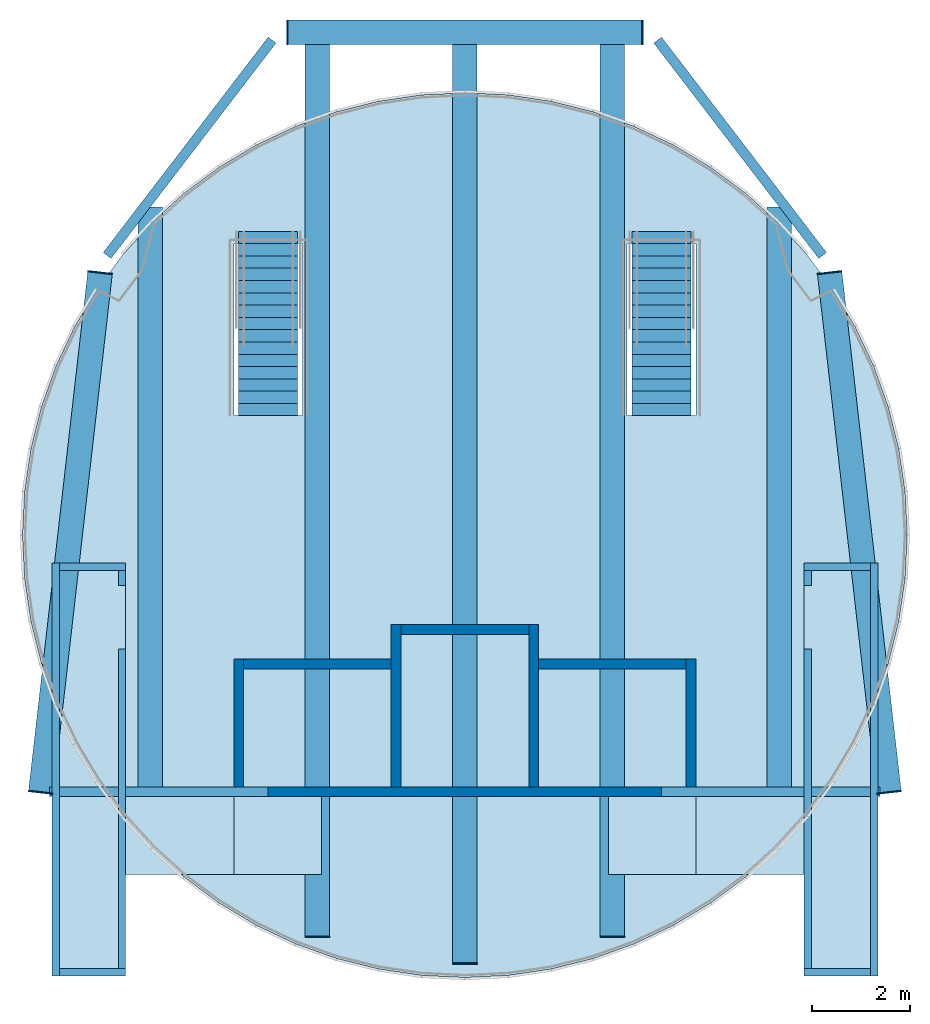
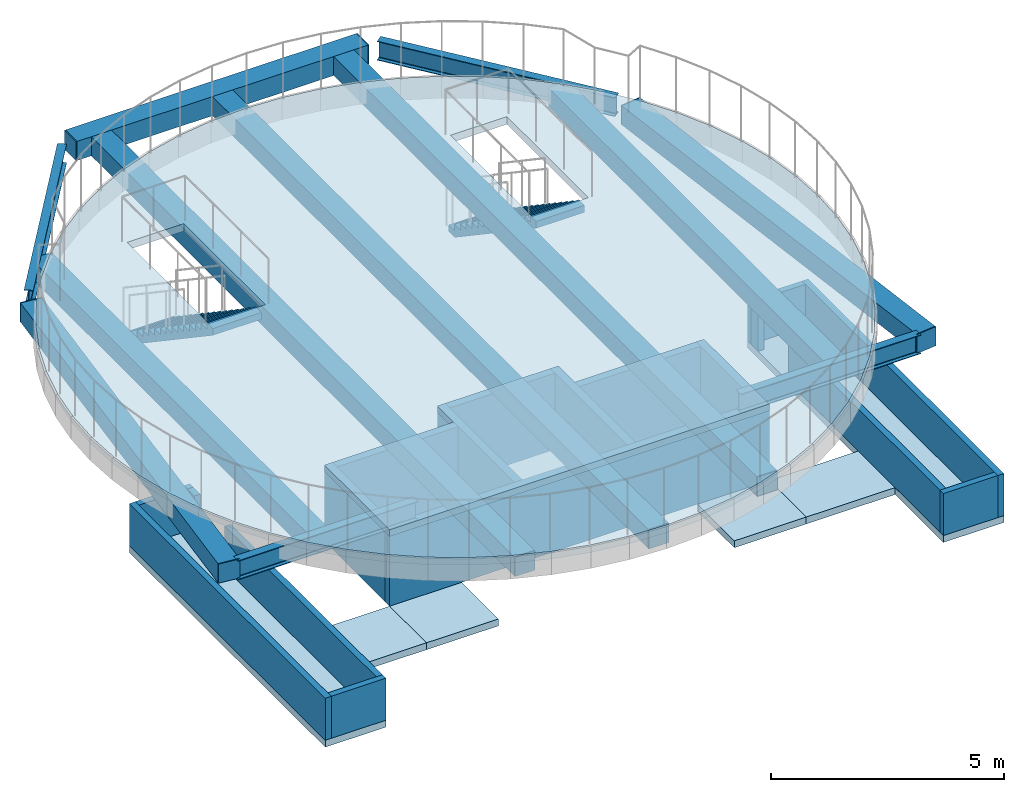
# One storey, part 1 of 4: 18 walls, 12 beams, 9 discrete accessories, 8 slabs, 2 stair flights, 2 elements without a shape of their own.
"""IFC4 building model written with IfcOpenShell, lengths in metres."""

from ifc_helpers import new_model, si_unit, direction, frame, frame_2d, origin, origin_2d, place, context, subcontext, project, spatial, polyline, rectangle, hollow_rectangle, i_section, outline, extrude, material, layer, layer_set, material_profile, profile_set, type_object, element, aggregate, save


model = new_model("IFC4")

# Units and contexts
model_context = context("Model", 3, precision=1e-05, world=origin(), true_north=direction((0.0, 1.0)))
body_context = subcontext(model_context, "Body", "Model", "MODEL_VIEW")
ifc_project = project(units=[si_unit("LENGTHUNIT", "METRE"), si_unit("AREAUNIT", "SQUARE_METRE"), si_unit("VOLUMEUNIT", "CUBIC_METRE"), si_unit("PLANEANGLEUNIT", "RADIAN"), si_unit("MASSUNIT", "GRAM", prefix="KILO")], contexts=[model_context])

# Site, building, storey
site_placement = place(None, origin())
site = spatial("IfcSite", under=ifc_project, at=site_placement, CompositionType="ELEMENT")
building_placement = place(site_placement, origin())
building = spatial("IfcBuilding", under=site, at=building_placement, Name="Fogline Exchange Tower", CompositionType="ELEMENT")
storey_placement = place(building_placement, frame((0.0, 0.0, 372.10009765625)))
storey = spatial("IfcBuildingStorey", under=building, at=storey_placement, Name="RF-3", CompositionType="ELEMENT", Elevation=372.10009765625)

# Beams
ifc_material_1 = material(Name="Steel Q355 grade B", Category="steel")
ifc_material_profile_1 = material_profile(ifc_material_1, i_section(OverallWidth=0.199951171875, OverallDepth=0.5, WebThickness=0.010009765625, FlangeThickness=0.01611328125, FilletRadius=0.02001953125, at=origin_2d()), Name="HN500X200X10X16")
ifc_profile_set_1 = profile_set([ifc_material_profile_1], Name="Steel Q355 grade B")
beam_type_1 = type_object("IfcBeamType", Name="HB1", PredefinedType="BEAM", material=ifc_profile_set_1)
for number, where, z_axis, x_axis, name in (
    (1, (7.2783203125, 16.65869140625, 2.25), (-0.608057307318, 0.793893135767, 0.0), (-0.793893135767, -0.608057307318, 0.0), "Helipad pad beam"),
    (2, (-3.921630859375, 21.041259765625, 2.25), (-0.608057307318, -0.793893135767, 0.0), (0.793893135767, -0.608057307318, 0.0), "Helipad pad beam"),
):
    element("IfcBeam", number, at=place(storey_placement, frame(where, z_axis=z_axis, x_axis=x_axis)), inside=storey, type_object=beam_type_1, Name=name, PredefinedType="BEAM", context=body_context, shape_type="SweptSolid", body=[
        extrude(i_section(OverallWidth=0.199951171875, OverallDepth=0.5, WebThickness=0.010009765625, FlangeThickness=0.01611328125, FilletRadius=0.02001953125, at=origin_2d()), origin(), (0.0, 0.0, 1.0), 5.520263671875),
    ])
for number, where, z_axis, x_axis, name in (
    (3, (-8.449951171875, 5.75, 2.25), (1.0, 0.0, 0.0), (0.0, 1.0, 0.0), "Helipad pad beam"),
    (4, (8.449951171875, 5.75, 2.25), (-1.0, 0.0, 0.0), (0.0, -1.0, 0.0), "Helipad pad beam"),
):
    element("IfcBeam", number, at=place(storey_placement, frame(where, z_axis=z_axis, x_axis=x_axis)), inside=storey, type_object=beam_type_1, Name=name, PredefinedType="BEAM", context=body_context, shape_type="SweptSolid", body=[
        extrude(i_section(OverallWidth=0.199951171875, OverallDepth=0.5, WebThickness=0.010009765625, FlangeThickness=0.01611328125, FilletRadius=0.02001953125, at=origin_2d()), origin(), (0.0, 0.0, 1.0), 4.449951171875),
    ])
ifc_material_profile_2 = material_profile(ifc_material_1, hollow_rectangle(XDim=0.5, YDim=0.5, WallThickness=0.02490234375, at=origin_2d()), Name="BOX500X500X25")
ifc_profile_set_2 = profile_set([ifc_material_profile_2], Name="Steel Q355 grade B")
beam_type_2 = type_object("IfcBeamType", Name="HB2", PredefinedType="BEAM", material=ifc_profile_set_2)
beam_1_placement = place(storey_placement, frame((8.627197265625, 5.748779296875, 2.25), z_axis=(-0.113415635376, 0.993547630289, 0.0), x_axis=(-0.993547630289, -0.113415635376, 0.0)))
element("IfcBeam", 5, at=beam_1_placement, inside=storey, type_object=beam_type_2, Name="Helipad pad beam", PredefinedType="BEAM", context=body_context, shape_type="SweptSolid", body=[
    extrude(hollow_rectangle(XDim=0.5, YDim=0.5, WallThickness=0.02490234375, at=origin_2d()), origin(), (0.0, 0.0, 1.0), 10.62109375),
])
beam_2_placement = place(storey_placement, frame((3.60009765625, 21.199951171875, 2.25), z_axis=(-1.0, 0.0, 0.0), x_axis=(0.0, -1.0, 0.0)))
element("IfcBeam", 6, at=beam_2_placement, inside=storey, type_object=beam_type_2, Name="Helipad pad beam", PredefinedType="BEAM", context=body_context, shape_type="SweptSolid", body=[
    extrude(hollow_rectangle(XDim=0.5, YDim=0.5, WallThickness=0.02490234375, at=origin_2d()), origin(), (0.0, 0.0, 1.0), 7.2001953125),
])
beam_3_placement = place(storey_placement, frame((-7.422607421875, 16.30126953125, 2.25), z_axis=(-0.113415635376, -0.993547630289, 0.0), x_axis=(0.993547630289, -0.113415635376, 0.0)))
element("IfcBeam", 7, at=beam_3_placement, inside=storey, type_object=beam_type_2, Name="Helipad pad beam", PredefinedType="BEAM", context=body_context, shape_type="SweptSolid", body=[
    extrude(hollow_rectangle(XDim=0.5, YDim=0.5, WallThickness=0.02490234375, at=origin_2d()), origin(), (0.0, 0.0, 1.0), 10.62109375),
])
beam_4_placement = place(storey_placement, frame((-6.39990234375, 5.85009765625, 2.25), z_axis=(0.0, 1.0, 0.0), x_axis=(-1.0, 0.0, 0.0)))
element("IfcBeam", 8, at=beam_4_placement, inside=storey, type_object=beam_type_2, Name="Helipad pad cross beam", PredefinedType="BEAM", context=body_context, shape_type="SweptSolid", body=[
    extrude(hollow_rectangle(XDim=0.5, YDim=0.5, WallThickness=0.02490234375, at=origin_2d()), origin(), (0.0, 0.0, 1.0), 11.791015625),
])
beam_5_placement = place(storey_placement, frame((-3.0, 2.814697265625, 2.25), z_axis=(0.0, 1.0, 0.0), x_axis=(-1.0, 0.0, 0.0)))
element("IfcBeam", 9, at=beam_5_placement, inside=storey, type_object=beam_type_2, Name="Helipad pad cross beam", PredefinedType="BEAM", context=body_context, shape_type="SweptSolid", body=[
    extrude(hollow_rectangle(XDim=0.5, YDim=0.5, WallThickness=0.02490234375, at=origin_2d()), origin(), (0.0, 0.0, 1.0), 18.13525390625),
])
beam_6_placement = place(storey_placement, frame((0.0, 2.2705078125, 2.25), z_axis=(0.0, 1.0, 0.0), x_axis=(-1.0, 0.0, 0.0)))
element("IfcBeam", 10, at=beam_6_placement, inside=storey, type_object=beam_type_2, Name="Helipad pad cross beam", PredefinedType="BEAM", context=body_context, shape_type="SweptSolid", body=[
    extrude(hollow_rectangle(XDim=0.5, YDim=0.5, WallThickness=0.02490234375, at=origin_2d()), origin(), (0.0, 0.0, 1.0), 18.679443359375),
])
beam_7_placement = place(storey_placement, frame((3.0, 2.814697265625, 2.25), z_axis=(0.0, 1.0, 0.0), x_axis=(-1.0, 0.0, 0.0)))
element("IfcBeam", 11, at=beam_7_placement, inside=storey, type_object=beam_type_2, Name="Helipad pad cross beam", PredefinedType="BEAM", context=body_context, shape_type="SweptSolid", body=[
    extrude(hollow_rectangle(XDim=0.5, YDim=0.5, WallThickness=0.02490234375, at=origin_2d()), origin(), (0.0, 0.0, 1.0), 18.13525390625),
])
beam_8_placement = place(storey_placement, frame((6.39990234375, 5.85009765625, 2.25), z_axis=(0.0, 1.0, 0.0), x_axis=(-1.0, 0.0, 0.0)))
element("IfcBeam", 12, at=beam_8_placement, inside=storey, type_object=beam_type_2, Name="Helipad pad cross beam", PredefinedType="BEAM", context=body_context, shape_type="SweptSolid", body=[
    extrude(hollow_rectangle(XDim=0.5, YDim=0.5, WallThickness=0.02490234375, at=origin_2d()), origin(), (0.0, 0.0, 1.0), 11.791015625),
])

# Slabs
ifc_material_2 = material(Name="Concrete C40", Category="concrete")
ifc_layer_1 = layer(ifc_material_2, 0.179931640625)
ifc_layer_set_1 = layer_set([ifc_layer_1], Name="CR180")
slab_type_1 = type_object("IfcSlabType", Name="CR180", PredefinedType="ROOF", material=ifc_layer_set_1)
slab_1_placement = place(storey_placement, frame((0.0, 0.0, 1.81982421875)))
element("IfcSlab", 13, at=slab_1_placement, inside=storey, type_object=slab_type_1, Name="Lift housing roof", PredefinedType="ROOF", context=body_context, shape_type="SweptSolid", body=[
    extrude(outline(polyline([(-4.699951171875, 5.64990234375), (4.699951171875, 5.64990234375), (4.699951171875, 8.449951171875), (1.5, 8.449951171875), (1.5, 9.14990234375), (-1.5, 9.14990234375), (-1.5, 8.449951171875), (-4.699951171875, 8.449951171875), (-4.699951171875, 5.64990234375)])), origin(), (0.0, 0.0, 1.0), 0.18017578125),
])
ifc_layer_2 = layer(ifc_material_1, 0.199951171875)
ifc_layer_set_2 = layer_set([ifc_layer_2], Name="DK4")
slab_type_2 = type_object("IfcSlabType", Name="DK4", PredefinedType="FLOOR", material=ifc_layer_set_2)
slab_2_placement = place(storey_placement, frame((0.0, 0.0, 2.5)))
element("IfcSlab", 14, at=slab_2_placement, inside=storey, type_object=slab_type_2, Name="Helipad open deck", PredefinedType="FLOOR", context=body_context, shape_type="SweptSolid", body=[
    extrude(outline(polyline([(8.956787109375, 10.087890625), (9.0, 10.969970703125), (8.956787109375, 11.852294921875), (8.8271484375, 12.725830078125), (8.612548828125, 13.58251953125), (8.31494140625, 14.414306640625), (7.937255859375, 15.212646484375), (7.483154296875, 15.97021484375), (6.95703125, 16.679443359375), (6.364013671875, 17.333984375), (5.70947265625, 17.927001953125), (5.0, 18.453125), (4.24267578125, 18.9072265625), (3.444091796875, 19.284912109375), (2.612548828125, 19.58251953125), (1.755859375, 19.797119140625), (0.882080078125, 19.9267578125), (0.0, 19.969970703125), (-0.882080078125, 19.9267578125), (-1.755859375, 19.797119140625), (-2.612548828125, 19.58251953125), (-3.444091796875, 19.284912109375), (-4.24267578125, 18.9072265625), (-5.0, 18.453125), (-5.70947265625, 17.927001953125), (-6.364013671875, 17.333984375), (-6.95703125, 16.679443359375), (-7.483154296875, 15.97021484375), (-7.937255859375, 15.212646484375), (-8.31494140625, 14.414306640625), (-8.612548828125, 13.58251953125), (-8.8271484375, 12.725830078125), (-8.956787109375, 11.852294921875), (-9.0, 10.969970703125), (-8.956787109375, 10.087890625), (-8.8271484375, 9.214111328125), (-8.612548828125, 8.357421875), (-8.31494140625, 7.52587890625), (-7.937255859375, 6.727294921875), (-7.483154296875, 5.969970703125), (-6.95703125, 5.260498046875), (-6.364013671875, 4.60595703125), (-5.70947265625, 4.012939453125), (-5.0, 3.48681640625), (-4.24267578125, 3.03271484375), (-3.444091796875, 2.655029296875), (-2.612548828125, 2.357421875), (-1.755859375, 2.142822265625), (-0.882080078125, 2.01318359375), (0.0, 1.969970703125), (0.882080078125, 2.01318359375), (1.755859375, 2.142822265625), (2.612548828125, 2.357421875), (3.444091796875, 2.655029296875), (4.24267578125, 3.03271484375), (5.0, 3.48681640625), (5.70947265625, 4.012939453125), (6.364013671875, 4.60595703125), (6.95703125, 5.260498046875), (7.483154296875, 5.969970703125), (7.937255859375, 6.727294921875), (8.31494140625, 7.52587890625), (8.612548828125, 8.357421875), (8.8271484375, 9.214111328125), (8.956787109375, 10.087890625)]), holes=[polyline([(-3.300048828125, 13.402099609375), (-4.699951171875, 13.402099609375), (-4.699951171875, 16.89990234375), (-3.300048828125, 16.89990234375), (-3.300048828125, 13.402099609375)]), polyline([(4.699951171875, 13.402099609375), (3.300048828125, 13.402099609375), (3.300048828125, 16.89990234375), (4.699951171875, 16.89990234375), (4.699951171875, 13.402099609375)])]), origin(), (0.0, 0.0, 1.0), 0.199951171875),
])
ifc_layer_3 = layer(ifc_material_1, 0.179931640625)
ifc_layer_set_3 = layer_set([ifc_layer_3], Name="HV2")
slab_type_3 = type_object("IfcSlabType", Name="HV2", PredefinedType="ROOF", material=ifc_layer_set_3)
slab_3_placement = place(storey_placement, frame((0.0, 0.0, -0.18017578125)))
element("IfcSlab", 15, at=slab_3_placement, inside=storey, type_object=slab_type_3, Name="Helipad stair lobby roof W", PredefinedType="ROOF", context=body_context, shape_type="SweptSolid", body=[
    extrude(outline(polyline([(-6.89990234375, 2.0), (-6.89990234375, 10.39990234375), (-8.39990234375, 10.39990234375), (-8.39990234375, 2.0), (-6.89990234375, 2.0)])), origin(), (0.0, 0.0, 1.0), 0.18017578125),
])
slab_4_placement = place(storey_placement, frame((0.0, 0.0, -0.18017578125)))
element("IfcSlab", 16, at=slab_4_placement, inside=storey, type_object=slab_type_3, Name="Helipad stair lobby roof E", PredefinedType="ROOF", context=body_context, shape_type="SweptSolid", body=[
    extrude(outline(polyline([(8.39990234375, 2.0), (8.39990234375, 10.39990234375), (6.89990234375, 10.39990234375), (6.89990234375, 2.0), (8.39990234375, 2.0)])), origin(), (0.0, 0.0, 1.0), 0.18017578125),
])
slab_5_placement = place(storey_placement, frame((0.0, 0.0, -0.18017578125)))
element("IfcSlab", 17, at=slab_5_placement, inside=storey, type_object=slab_type_3, Name="Helipad stair well roof W", PredefinedType="ROOF", context=body_context, shape_type="SweptSolid", body=[
    extrude(outline(polyline([(-4.699951171875, 4.070068359375), (-4.699951171875, 5.64990234375), (-6.89990234375, 5.64990234375), (-6.89990234375, 4.070068359375), (-4.699951171875, 4.070068359375)])), origin(), (0.0, 0.0, 1.0), 0.18017578125),
])
slab_6_placement = place(storey_placement, frame((0.0, 0.0, -0.18017578125)))
element("IfcSlab", 18, at=slab_6_placement, inside=storey, type_object=slab_type_3, Name="Helipad stair well roof W", PredefinedType="ROOF", context=body_context, shape_type="SweptSolid", body=[
    extrude(outline(polyline([(-2.919921875, 4.070068359375), (-2.919921875, 5.64990234375), (-4.699951171875, 5.64990234375), (-4.699951171875, 4.070068359375), (-2.919921875, 4.070068359375)])), origin(), (0.0, 0.0, 1.0), 0.18017578125),
])
slab_7_placement = place(storey_placement, frame((0.0, 0.0, -0.18017578125)))
element("IfcSlab", 19, at=slab_7_placement, inside=storey, type_object=slab_type_3, Name="Helipad stair well roof E", PredefinedType="ROOF", context=body_context, shape_type="SweptSolid", body=[
    extrude(outline(polyline([(6.89990234375, 4.070068359375), (6.89990234375, 5.64990234375), (4.699951171875, 5.64990234375), (4.699951171875, 4.070068359375), (6.89990234375, 4.070068359375)])), origin(), (0.0, 0.0, 1.0), 0.18017578125),
])
slab_8_placement = place(storey_placement, frame((0.0, 0.0, -0.18017578125)))
element("IfcSlab", 20, at=slab_8_placement, inside=storey, type_object=slab_type_3, Name="Helipad stair well roof E", PredefinedType="ROOF", context=body_context, shape_type="SweptSolid", body=[
    extrude(outline(polyline([(4.699951171875, 4.070068359375), (4.699951171875, 5.64990234375), (2.919921875, 5.64990234375), (2.919921875, 4.070068359375), (4.699951171875, 4.070068359375)])), origin(), (0.0, 0.0, 1.0), 0.18017578125),
])

# Walls
ifc_layer_4 = layer(ifc_material_2, 0.199951171875)
ifc_layer_set_4 = layer_set([ifc_layer_4], Name="CW20")
wall_type_1 = type_object("IfcWallType", Name="CW20", PredefinedType="SOLIDWALL", material=ifc_layer_set_4)
wall_1_placement = place(storey_placement, frame((-4.699951171875, 5.75, 0.0), z_axis=(0.0, 0.0, 1.0), x_axis=(1.0, 0.0, 0.0)))
element("IfcWall", 21, at=wall_1_placement, inside=storey, type_object=wall_type_1, Name="Lift shaft wall", PredefinedType="SOLIDWALL", context=body_context, shape_type="SweptSolid", body=[
    extrude(rectangle(XDim=9.39990234375, YDim=0.199951171875, at=frame_2d((4.699951171875, 0.0))), origin(), (0.0, 0.0, 1.0), 2.0),
])
for number, where, z_axis, x_axis, name in (
    (22, (-4.60009765625, 5.85009765625, 0.0), (0.0, 0.0, 1.0), (0.0, 1.0, 0.0), "Lift shaft wall"),
    (23, (4.60009765625, 5.85009765625, 0.0), (0.0, 0.0, 1.0), (0.0, 1.0, 0.0), "Lift shaft wall"),
):
    element("IfcWall", number, at=place(storey_placement, frame(where, z_axis=z_axis, x_axis=x_axis)), inside=storey, type_object=wall_type_1, Name=name, PredefinedType="SOLIDWALL", context=body_context, shape_type="SweptSolid", body=[
        extrude(rectangle(XDim=2.599853515625, YDim=0.199951171875, at=frame_2d((1.2998046875, 0.0))), origin(), (0.0, 0.0, 1.0), 2.0),
    ])
for number, where, z_axis, x_axis, name in (
    (24, (-1.39990234375, 5.85009765625, 0.0), (0.0, 0.0, 1.0), (0.0, 1.0, 0.0), "Lift shaft wall"),
    (25, (1.39990234375, 5.85009765625, 0.0), (0.0, 0.0, 1.0), (0.0, 1.0, 0.0), "Lift shaft wall"),
):
    element("IfcWall", number, at=place(storey_placement, frame(where, z_axis=z_axis, x_axis=x_axis)), inside=storey, type_object=wall_type_1, Name=name, PredefinedType="SOLIDWALL", context=body_context, shape_type="SweptSolid", body=[
        extrude(rectangle(XDim=3.2998046875, YDim=0.199951171875, at=frame_2d((1.64990234375, 0.0))), origin(), (0.0, 0.0, 1.0), 2.0),
    ])
for number, where, z_axis, x_axis, name in (
    (26, (-4.5, 8.35009765625, 0.0), (0.0, 0.0, 1.0), (1.0, 0.0, 0.0), "Lift shaft wall"),
    (27, (1.5, 8.35009765625, 0.0), (0.0, 0.0, 1.0), (1.0, 0.0, 0.0), "Lift shaft wall"),
):
    element("IfcWall", number, at=place(storey_placement, frame(where, z_axis=z_axis, x_axis=x_axis)), inside=storey, type_object=wall_type_1, Name=name, PredefinedType="SOLIDWALL", context=body_context, shape_type="SweptSolid", body=[
        extrude(rectangle(XDim=3.0, YDim=0.199951171875, at=frame_2d((1.5, 0.0))), origin(), (0.0, 0.0, 1.0), 2.0),
    ])
wall_2_placement = place(storey_placement, frame((-1.300048828125, 9.050048828125, 0.0), z_axis=(0.0, 0.0, 1.0), x_axis=(1.0, 0.0, 0.0)))
element("IfcWall", 28, at=wall_2_placement, inside=storey, type_object=wall_type_1, Name="Lift shaft wall", PredefinedType="SOLIDWALL", context=body_context, shape_type="SweptSolid", body=[
    extrude(rectangle(XDim=2.60009765625, YDim=0.199951171875, at=frame_2d((1.300048828125, 0.0))), origin(), (0.0, 0.0, 1.0), 2.0),
])
ifc_layer_5 = layer(ifc_material_1, 0.14990234375)
ifc_layer_set_5 = layer_set([ifc_layer_5], Name="HV3")
wall_type_2 = type_object("IfcWallType", Name="HV3", PredefinedType="PARAPET", material=ifc_layer_set_5)
wall_3_placement = place(storey_placement, frame((-8.324951171875, 2.0, 0.0), z_axis=(0.0, 0.0, 1.0), x_axis=(0.0, 1.0, 0.0)))
element("IfcWall", 29, at=wall_3_placement, inside=storey, type_object=wall_type_2, Name="Helipad stair lobby roof parapet W", PredefinedType="PARAPET", context=body_context, shape_type="SweptSolid", body=[
    extrude(rectangle(XDim=8.39990234375, YDim=0.14990234375, at=frame_2d((4.199951171875, 0.0))), origin(), (0.0, 0.0, 1.0), 1.099853515625),
])
for number, where, z_axis, x_axis, name in (
    (30, (-8.25, 2.074951171875, 0.0), (0.0, 0.0, 1.0), (1.0, 0.0, 0.0), "Helipad stair lobby roof parapet W"),
    (31, (-8.25, 10.324951171875, 0.0), (0.0, 0.0, 1.0), (1.0, 0.0, 0.0), "Helipad stair lobby roof parapet W"),
):
    element("IfcWall", number, at=place(storey_placement, frame(where, z_axis=z_axis, x_axis=x_axis)), inside=storey, type_object=wall_type_2, Name=name, PredefinedType="PARAPET", context=body_context, shape_type="SweptSolid", body=[
        extrude(rectangle(XDim=1.35009765625, YDim=0.14990234375, at=frame_2d((0.675048828125, 0.0))), origin(), (0.0, 0.0, 1.0), 1.099853515625),
    ])
wall_4_placement = place(storey_placement, frame((-6.97509765625, 2.14990234375, 0.0), z_axis=(0.0, 0.0, 1.0), x_axis=(0.0, 1.0, 0.0)))
element("IfcWall", 32, at=wall_4_placement, inside=storey, type_object=wall_type_2, Name="Helipad stair lobby roof parapet W", PredefinedType="PARAPET", context=body_context, shape_type="SweptSolid", body=[
    extrude(rectangle(XDim=6.5, YDim=0.14990234375, at=frame_2d((3.25, 0.0))), origin(), (0.0, 0.0, 1.0), 1.099853515625),
])
wall_5_placement = place(storey_placement, frame((-6.97509765625, 9.949951171875, 0.0), z_axis=(0.0, 0.0, 1.0), x_axis=(0.0, 1.0, 0.0)))
element("IfcWall", 33, at=wall_5_placement, inside=storey, type_object=wall_type_2, Name="Helipad stair lobby roof parapet W", PredefinedType="PARAPET", context=body_context, shape_type="SweptSolid", body=[
    extrude(rectangle(XDim=0.300048828125, YDim=0.14990234375, at=frame_2d((0.14990234375, 0.0))), origin(), (0.0, 0.0, 1.0), 1.099853515625),
])
wall_6_placement = place(storey_placement, frame((8.324951171875, 2.0, 0.0), z_axis=(0.0, 0.0, 1.0), x_axis=(0.0, 1.0, 0.0)))
element("IfcWall", 34, at=wall_6_placement, inside=storey, type_object=wall_type_2, Name="Helipad stair lobby roof parapet E", PredefinedType="PARAPET", context=body_context, shape_type="SweptSolid", body=[
    extrude(rectangle(XDim=8.39990234375, YDim=0.14990234375, at=frame_2d((4.199951171875, 0.0))), origin(), (0.0, 0.0, 1.0), 1.099853515625),
])
for number, where, z_axis, x_axis, name in (
    (35, (8.25, 2.074951171875, 0.0), (0.0, 0.0, 1.0), (-1.0, 0.0, 0.0), "Helipad stair lobby roof parapet E"),
    (36, (8.25, 10.324951171875, 0.0), (0.0, 0.0, 1.0), (-1.0, 0.0, 0.0), "Helipad stair lobby roof parapet E"),
):
    element("IfcWall", number, at=place(storey_placement, frame(where, z_axis=z_axis, x_axis=x_axis)), inside=storey, type_object=wall_type_2, Name=name, PredefinedType="PARAPET", context=body_context, shape_type="SweptSolid", body=[
        extrude(rectangle(XDim=1.35009765625, YDim=0.14990234375, at=frame_2d((0.675048828125, 0.0))), origin(), (0.0, 0.0, 1.0), 1.099853515625),
    ])
wall_7_placement = place(storey_placement, frame((6.97509765625, 2.14990234375, 0.0), z_axis=(0.0, 0.0, 1.0), x_axis=(0.0, 1.0, 0.0)))
element("IfcWall", 37, at=wall_7_placement, inside=storey, type_object=wall_type_2, Name="Helipad stair lobby roof parapet E", PredefinedType="PARAPET", context=body_context, shape_type="SweptSolid", body=[
    extrude(rectangle(XDim=6.5, YDim=0.14990234375, at=frame_2d((3.25, 0.0))), origin(), (0.0, 0.0, 1.0), 1.099853515625),
])
wall_8_placement = place(storey_placement, frame((6.97509765625, 9.949951171875, 0.0), z_axis=(0.0, 0.0, 1.0), x_axis=(0.0, 1.0, 0.0)))
element("IfcWall", 38, at=wall_8_placement, inside=storey, type_object=wall_type_2, Name="Helipad stair lobby roof parapet E", PredefinedType="PARAPET", context=body_context, shape_type="SweptSolid", body=[
    extrude(rectangle(XDim=0.300048828125, YDim=0.14990234375, at=frame_2d((0.14990234375, 0.0))), origin(), (0.0, 0.0, 1.0), 1.099853515625),
])

# Stair, stair flight
stair_type = type_object("IfcStairType", Name="HST4", PredefinedType="STRAIGHT_RUN_STAIR", material=ifc_material_1)
stair_1_placement = place(storey_placement, origin())
stair_1 = element("IfcStair", 39, at=stair_1_placement, inside=storey, type_object=stair_type, Name="Helipad pad stair W upper flight", PredefinedType="STRAIGHT_RUN_STAIR")
stair_flight_type = type_object("IfcStairFlightType", Name="HF1", PredefinedType="STRAIGHT", material=ifc_material_1)
stair_flight_1_placement = place(storey_placement, frame((-4.0, 17.14990234375, 0.0), z_axis=(0.0, 0.0, 1.0), x_axis=(0.0, -1.0, 0.0)))
stair_flight_1 = element("IfcStairFlight", 40, at=stair_flight_1_placement, type_object=stair_flight_type, Name="HS3U flight 1", NumberOfRisers=16, NumberOfTreads=15, PredefinedType="STRAIGHT", RiserHeight=0.16875, TreadLength=0.25, context=body_context, shape_type="SweptSolid", body=[
    extrude(outline(polyline([(0.0, 0.0), (0.0, 0.168701171875), (0.25, 0.168701171875), (0.25, 0.33740234375), (0.5, 0.33740234375), (0.5, 0.50634765625), (0.75, 0.50634765625), (0.75, 0.675048828125), (1.0, 0.675048828125), (1.0, 0.84375), (1.25, 0.84375), (1.25, 1.012451171875), (1.5, 1.012451171875), (1.5, 1.18115234375), (1.75, 1.18115234375), (1.75, 1.35009765625), (2.0, 1.35009765625), (2.0, 1.518798828125), (2.25, 1.518798828125), (2.25, 1.6875), (2.5, 1.6875), (2.5, 1.856201171875), (2.75, 1.856201171875), (2.75, 2.02490234375), (3.0, 2.02490234375), (3.0, 2.19384765625), (3.25, 2.19384765625), (3.25, 2.362548828125), (3.5, 2.362548828125), (3.5, 2.53125), (3.75, 2.53125), (3.75, 2.699951171875), (3.75, 2.350341796875), (0.267822265625, 0.0), (0.0, 0.0)])), frame((0.0, 0.60009765625, 0.0), z_axis=(0.0, -1.0, 0.0), x_axis=(1.0, 0.0, 0.0)), (0.0, 0.0, 1.0), 1.199951171875),
])
aggregate(stair_1, [stair_flight_1])

stair_2_placement = place(storey_placement, origin())
stair_2 = element("IfcStair", 41, at=stair_2_placement, inside=storey, type_object=stair_type, Name="Helipad pad stair E upper flight", PredefinedType="STRAIGHT_RUN_STAIR")
stair_flight_2_placement = place(storey_placement, frame((4.0, 17.14990234375, 0.0), z_axis=(0.0, 0.0, 1.0), x_axis=(0.0, -1.0, 0.0)))
stair_flight_2 = element("IfcStairFlight", 42, at=stair_flight_2_placement, type_object=stair_flight_type, Name="HS4U flight 1", NumberOfRisers=16, NumberOfTreads=15, PredefinedType="STRAIGHT", RiserHeight=0.16875, TreadLength=0.25, context=body_context, shape_type="SweptSolid", body=[
    extrude(outline(polyline([(0.0, 0.0), (0.0, 0.168701171875), (0.25, 0.168701171875), (0.25, 0.33740234375), (0.5, 0.33740234375), (0.5, 0.50634765625), (0.75, 0.50634765625), (0.75, 0.675048828125), (1.0, 0.675048828125), (1.0, 0.84375), (1.25, 0.84375), (1.25, 1.012451171875), (1.5, 1.012451171875), (1.5, 1.18115234375), (1.75, 1.18115234375), (1.75, 1.35009765625), (2.0, 1.35009765625), (2.0, 1.518798828125), (2.25, 1.518798828125), (2.25, 1.6875), (2.5, 1.6875), (2.5, 1.856201171875), (2.75, 1.856201171875), (2.75, 2.02490234375), (3.0, 2.02490234375), (3.0, 2.19384765625), (3.25, 2.19384765625), (3.25, 2.362548828125), (3.5, 2.362548828125), (3.5, 2.53125), (3.75, 2.53125), (3.75, 2.699951171875), (3.75, 2.350341796875), (0.267822265625, 0.0), (0.0, 0.0)])), frame((0.0, 0.60009765625, 0.0), z_axis=(0.0, -1.0, 0.0), x_axis=(1.0, 0.0, 0.0)), (0.0, 0.0, 1.0), 1.199951171875),
])
aggregate(stair_2, [stair_flight_2])

# Discrete accessories
ifc_layer_6 = layer(ifc_material_1, 0.02490234375)
ifc_layer_set_6 = layer_set([ifc_layer_6], Name="EC1")
discrete_accessory_type = type_object("IfcDiscreteAccessoryType", Name="EC1", PredefinedType="USERDEFINED", material=ifc_layer_set_6)
for number, where, z_axis, x_axis, name in (
    (43, (8.628662109375, 5.736328125, 2.0), (0.0, 0.0, 1.0), (0.113418240758, -0.993547332875, 0.0), "Helipad box beam end plate"),
    (44, (7.42138671875, 16.313720703125, 2.0), (0.0, 0.0, 1.0), (-0.113418240758, 0.993547332875, 0.0), "Helipad box beam end plate"),
    (45, (3.612548828125, 21.199951171875, 2.0), (0.0, 0.0, 1.0), (1.0, 0.0, 0.0), "Helipad box beam end plate"),
    (46, (-3.612548828125, 21.199951171875, 2.0), (0.0, 0.0, 1.0), (-1.0, 0.0, 0.0), "Helipad box beam end plate"),
    (47, (-7.42138671875, 16.313720703125, 2.0), (0.0, 0.0, 1.0), (0.113418240758, 0.993547332875, 0.0), "Helipad box beam end plate"),
    (48, (-8.628662109375, 5.736328125, 2.0), (0.0, 0.0, 1.0), (-0.113418240758, -0.993547332875, 0.0), "Helipad box beam end plate"),
    (49, (-3.0, 2.80224609375, 2.0), (0.0, 0.0, 1.0), (0.0, -1.0, 0.0), "Helipad box beam end plate"),
    (50, (0.0, 2.2578125, 2.0), (0.0, 0.0, 1.0), (0.0, -1.0, 0.0), "Helipad box beam end plate"),
    (51, (3.0, 2.80224609375, 2.0), (0.0, 0.0, 1.0), (0.0, -1.0, 0.0), "Helipad box beam end plate"),
):
    element("IfcDiscreteAccessory", number, at=place(storey_placement, frame(where, z_axis=z_axis, x_axis=x_axis)), inside=storey, type_object=discrete_accessory_type, Name=name, ObjectType="END PLATE", PredefinedType="USERDEFINED", context=body_context, shape_type="SweptSolid", body=[
        extrude(rectangle(XDim=0.02490234375, YDim=0.5, at=origin_2d()), origin(), (0.0, 0.0, 1.0), 0.5),
    ])

save(model, "model.ifc")
